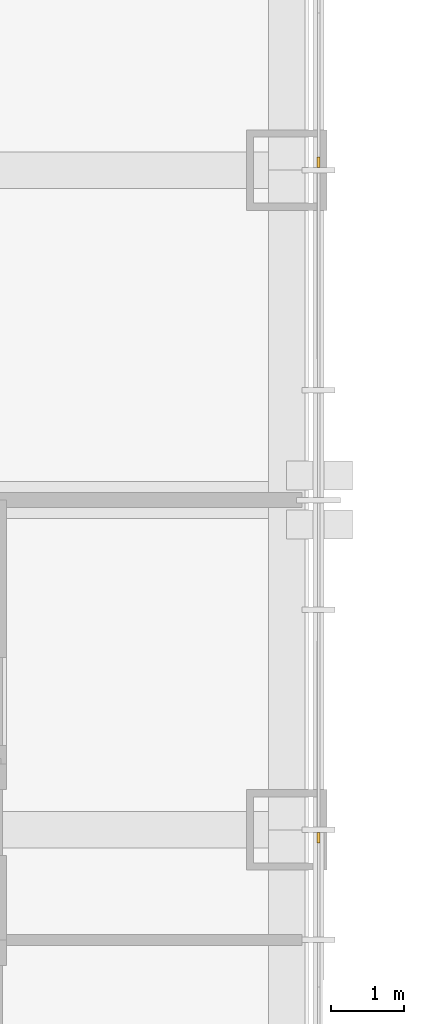
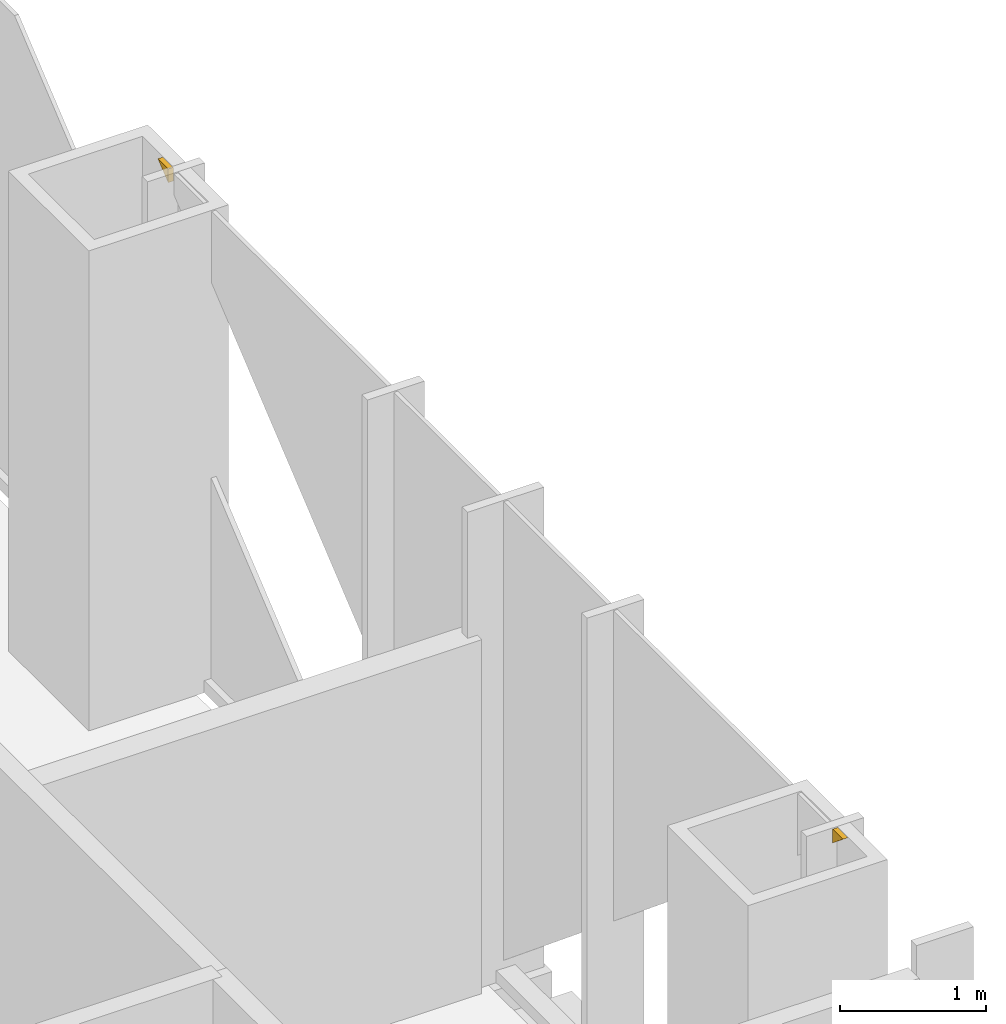
# One storey, part 16 of 17: 2 coverings.
"""IFC4 building model written with IfcOpenShell, lengths in metres."""

from ifc_helpers import new_model, si_unit, direction, frame, origin, place, context, subcontext, project, spatial, polyline, outline, extrude, material, layer, layer_set, type_object, element, save


model = new_model("IFC4")

# Units and contexts
model_context = context("Model", 3, precision=1e-05, world=origin(), true_north=direction((0.0, 1.0)))
body_context = subcontext(model_context, "Body", "Model", "MODEL_VIEW")
ifc_project = project(units=[si_unit("LENGTHUNIT", "METRE"), si_unit("AREAUNIT", "SQUARE_METRE"), si_unit("VOLUMEUNIT", "CUBIC_METRE"), si_unit("PLANEANGLEUNIT", "RADIAN"), si_unit("MASSUNIT", "GRAM", prefix="KILO")], contexts=[model_context])

# Site, building, storey
site_placement = place(None, origin())
site = spatial("IfcSite", under=ifc_project, at=site_placement, CompositionType="ELEMENT")
building_placement = place(site_placement, origin())
building = spatial("IfcBuilding", under=site, at=building_placement, Name="Malebo Sky Hospital", CompositionType="ELEMENT")
storey_placement = place(building_placement, frame((0.0, 0.0, 120.0)))
storey = spatial("IfcBuildingStorey", under=building, at=storey_placement, Name="L28", CompositionType="ELEMENT", Elevation=120.0)

# Coverings
ifc_material = material(Name="Anodised aluminium, natural silver insulated infill panel", Category="aluminium")
ifc_layer = layer(ifc_material, 0.0400390625)
ifc_layer_set = layer_set([ifc_layer], Name="BRACE INFILL PANEL 40")
covering_type = type_object("IfcCoveringType", Name="BRACE INFILL PANEL 40", PredefinedType="CLADDING", material=ifc_layer_set)
covering_1_placement = place(storey_placement, frame((84.135009765625, 66.607177734375, 3.87548828125), z_axis=(0.0, 0.0, 1.0), x_axis=(0.0, -1.0, 0.0)))
element("IfcCovering", 1, at=covering_1_placement, inside=storey, type_object=covering_type, Name="Brace infill panel 6.1", PredefinedType="CLADDING", context=body_context, shape_type="SweptSolid", body=[
    extrude(outline(polyline([(0.069580078125, 0.0), (0.069580078125, 0.114501953125), (-0.069580078125, 0.114501953125), (0.069580078125, 0.0)])), frame((0.0, 0.02001953125, 0.0), z_axis=(0.0, -1.0, 0.0), x_axis=(1.0, 0.0, 0.0)), (0.0, 0.0, 1.0), 0.0400390625),
])
covering_2_placement = place(storey_placement, frame((84.135009765625, 57.39306640625, 3.87548828125), z_axis=(0.0, 0.0, 1.0), x_axis=(0.0, -1.0, 0.0)))
element("IfcCovering", 2, at=covering_2_placement, inside=storey, type_object=covering_type, Name="Brace infill panel 11.1", PredefinedType="CLADDING", context=body_context, shape_type="SweptSolid", body=[
    extrude(outline(polyline([(-0.069580078125, 0.0), (0.069580078125, 0.114501953125), (-0.069580078125, 0.114501953125), (-0.069580078125, 0.0)])), frame((0.0, 0.02001953125, 0.0), z_axis=(0.0, -1.0, 0.0), x_axis=(1.0, 0.0, 0.0)), (0.0, 0.0, 1.0), 0.0400390625),
])

save(model, "model.ifc")
